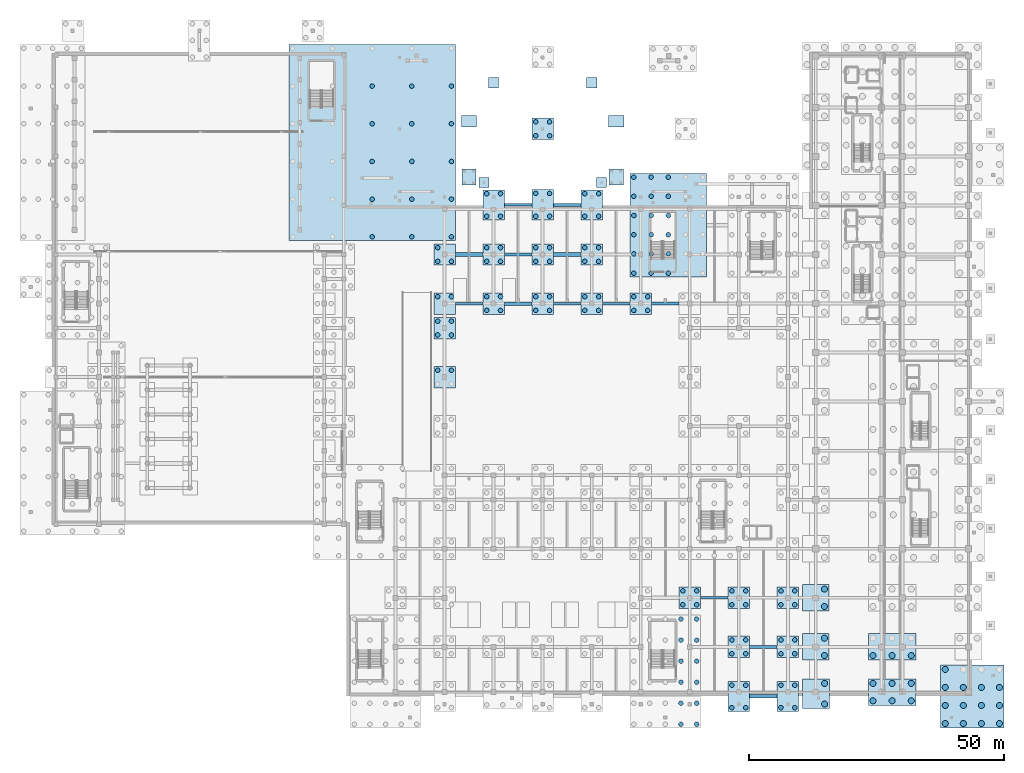
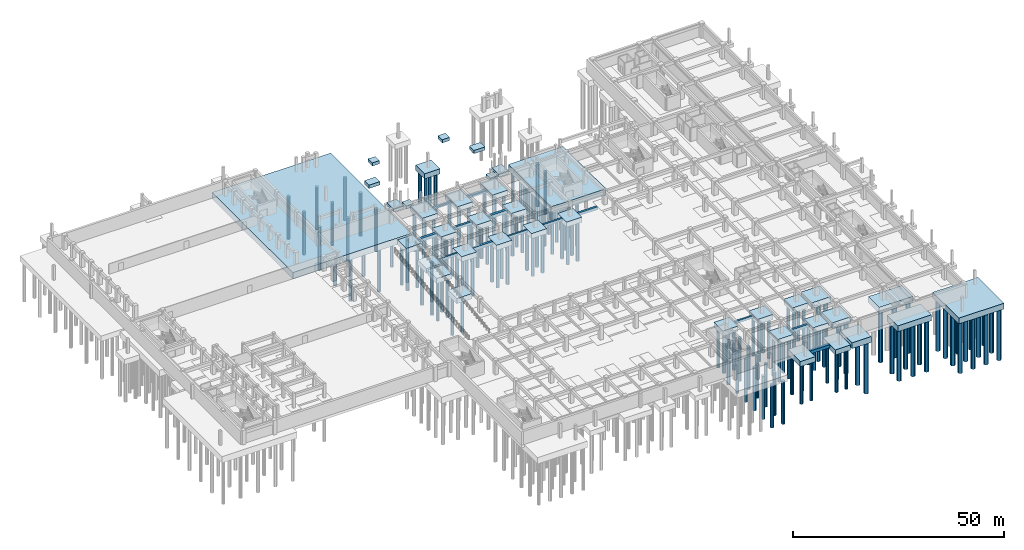
# One storey, part 3 of 39: 156 piles, 51 footings.
"""IFC4 building model written with IfcOpenShell, lengths in metres."""

from ifc_helpers import new_model, si_unit, direction, frame, origin, origin_2d, place, context, subcontext, project, spatial, rectangle, circle, extrude, material, material_profile, profile_set, type_object, element, save


model = new_model("IFC4")

# Units and contexts
model_context = context("Model", 3, precision=1e-05, world=origin(), true_north=direction((0.0, 1.0)))
body_context = subcontext(model_context, "Body", "Model", "MODEL_VIEW")
ifc_project = project(units=[si_unit("LENGTHUNIT", "METRE"), si_unit("AREAUNIT", "SQUARE_METRE"), si_unit("VOLUMEUNIT", "CUBIC_METRE"), si_unit("PLANEANGLEUNIT", "RADIAN"), si_unit("MASSUNIT", "GRAM", prefix="KILO")], contexts=[model_context])

# Site, building, storey
site_placement = place(None, origin())
site = spatial("IfcSite", under=ifc_project, at=site_placement, CompositionType="ELEMENT")
building_placement = place(site_placement, origin())
building = spatial("IfcBuilding", under=site, at=building_placement, Name="Nakhvara Creek Congress Hotel", CompositionType="ELEMENT")
storey_placement = place(building_placement, frame((0.0, 0.0, -8.39990234375)))
storey = spatial("IfcBuildingStorey", under=building, at=storey_placement, Name="B2", CompositionType="ELEMENT", Elevation=-8.39990234375)

# Footings
ifc_material = material(Name="Concrete C40/50", Category="concrete")
footing_type_1 = type_object("IfcFootingType", Name="FT-GB-500X700", PredefinedType="FOOTING_BEAM", material=ifc_material)
for number, where, z_axis, x_axis, name in (
    (1, (81.60009765625, 76.800048828125, -0.7001953125), (0.0, 0.0, 1.0), (1.0, 0.0, 0.0), "Ground Beam GB-019"),
    (2, (91.199951171875, 96.10009765625, -0.7001953125), (0.0, 0.0, 1.0), (1.0, 0.0, 0.0), "Ground Beam GB-028"),
    (3, (100.800048828125, 76.800048828125, -0.7001953125), (0.0, 0.0, 1.0), (1.0, 0.0, 0.0), "Ground Beam GB-034"),
    (4, (110.39990234375, 76.800048828125, -0.7001953125), (0.0, 0.0, 1.0), (1.0, 0.0, 0.0), "Ground Beam GB-040"),
    (5, (129.60009765625, 19.199951171875, -0.7001953125), (0.0, 0.0, 1.0), (1.0, 0.0, 0.0), "Ground Beam GB-043"),
):
    element("IfcFooting", number, at=place(storey_placement, frame(where, z_axis=z_axis, x_axis=x_axis)), inside=storey, type_object=footing_type_1, Name=name, PredefinedType="FOOTING_BEAM", context=body_context, shape_type="SweptSolid", body=[
        extrude(rectangle(XDim=5.39990234375, YDim=0.5, at=origin_2d()), origin(), (0.0, 0.0, 1.0), 0.699951171875),
    ])
footing_type_2 = type_object("IfcFootingType", Name="FT-GB-600X800", PredefinedType="FOOTING_BEAM", material=ifc_material)
for number, where, z_axis, x_axis, name in (
    (6, (91.199951171875, 86.39990234375, -0.80029296875), (0.0, 0.0, 1.0), (1.0, 0.0, 0.0), "Ground Beam GB-027"),
    (7, (100.800048828125, 96.10009765625, -0.80029296875), (0.0, 0.0, 1.0), (1.0, 0.0, 0.0), "Ground Beam GB-036"),
    (8, (120.0, 76.800048828125, -0.80029296875), (0.0, 0.0, 1.0), (1.0, 0.0, 0.0), "Ground Beam GB-042"),
    (9, (139.199951171875, 9.60009765625, -0.80029296875), (0.0, 0.0, 1.0), (1.0, 0.0, 0.0), "Ground Beam GB-048"),
):
    element("IfcFooting", number, at=place(storey_placement, frame(where, z_axis=z_axis, x_axis=x_axis)), inside=storey, type_object=footing_type_2, Name=name, PredefinedType="FOOTING_BEAM", context=body_context, shape_type="SweptSolid", body=[
        extrude(rectangle(XDim=5.39990234375, YDim=0.60009765625, at=origin_2d()), origin(), (0.0, 0.0, 1.0), 0.800048828125),
    ])
footing_type_3 = type_object("IfcFootingType", Name="FT-GB-700X900", PredefinedType="FOOTING_BEAM", material=ifc_material)
for number, where, z_axis, x_axis, name in (
    (10, (81.60009765625, 86.39990234375, -0.900146484375), (0.0, 0.0, 1.0), (1.0, 0.0, 0.0), "Ground Beam GB-020"),
    (11, (91.199951171875, 76.800048828125, -0.900146484375), (0.0, 0.0, 1.0), (1.0, 0.0, 0.0), "Ground Beam GB-026"),
    (12, (100.800048828125, 86.39990234375, -0.900146484375), (0.0, 0.0, 1.0), (1.0, 0.0, 0.0), "Ground Beam GB-035"),
    (13, (139.199951171875, -0.10009765625, -0.900146484375), (0.0, 0.0, 1.0), (1.0, 0.0, 0.0), "Ground Beam GB-047"),
):
    element("IfcFooting", number, at=place(storey_placement, frame(where, z_axis=z_axis, x_axis=x_axis)), inside=storey, type_object=footing_type_3, Name=name, PredefinedType="FOOTING_BEAM", context=body_context, shape_type="SweptSolid", body=[
        extrude(rectangle(XDim=5.39990234375, YDim=0.699951171875, at=origin_2d()), origin(), (0.0, 0.0, 1.0), 0.89990234375),
    ])
footing_type_4 = type_object("IfcFootingType", Name="FT-MCAP-1240X1240X170", PredefinedType="PILE_CAP", material=ifc_material)
footing_1_placement = place(storey_placement, frame((180.10009765625, -0.10009765625, -1.7001953125), z_axis=(0.0, 0.0, 1.0), x_axis=(1.0, 0.0, 0.0)))
element("IfcFooting", 14, at=footing_1_placement, inside=storey, type_object=footing_type_4, Name="Pile Cap 117", PredefinedType="PILE_CAP", context=body_context, shape_type="SweptSolid", body=[
    extrude(rectangle(XDim=12.39990234375, YDim=12.39990234375, at=origin_2d()), origin(), (0.0, 0.0, 1.0), 1.699951171875),
])
footing_type_5 = type_object("IfcFootingType", Name="FT-MCAP-1500X2030X185", PredefinedType="PILE_CAP", material=ifc_material)
footing_2_placement = place(storey_placement, frame((120.60009765625, 92.14990234375, -1.85009765625), z_axis=(0.0, 0.0, 1.0), x_axis=(1.0, 0.0, 0.0)))
element("IfcFooting", 15, at=footing_2_placement, inside=storey, type_object=footing_type_5, Name="Pile Cap 008", PredefinedType="PILE_CAP", context=body_context, shape_type="SweptSolid", body=[
    extrude(rectangle(XDim=15.0, YDim=20.300048828125, at=origin_2d()), origin(), (0.0, 0.0, 1.0), 1.85009765625),
])
footing_type_6 = type_object("IfcFootingType", Name="FT-MCAP-3255X3840X185", PredefinedType="PILE_CAP", material=ifc_material)
footing_3_placement = place(storey_placement, frame((62.625, 108.300048828125, -1.85009765625), z_axis=(0.0, 0.0, 1.0), x_axis=(1.0, 0.0, 0.0)))
element("IfcFooting", 16, at=footing_3_placement, inside=storey, type_object=footing_type_6, Name="Pile Cap 007", PredefinedType="PILE_CAP", context=body_context, shape_type="SweptSolid", body=[
    extrude(rectangle(XDim=32.550048828125, YDim=38.39990234375, at=origin_2d()), origin(), (0.0, 0.0, 1.0), 1.85009765625),
])
footing_type_7 = type_object("IfcFootingType", Name="FT-MCAP-420X420X150", PredefinedType="PILE_CAP", material=ifc_material)
for number, where, z_axis, x_axis, name in (
    (17, (76.800048828125, 62.39990234375, -1.5), (0.0, 0.0, 1.0), (1.0, 0.0, 0.0), "Pile Cap 046"),
    (18, (76.800048828125, 72.0, -1.5), (0.0, 0.0, 1.0), (1.0, 0.0, 0.0), "Pile Cap 047"),
    (19, (76.800048828125, 76.800048828125, -1.5), (0.0, 0.0, 1.0), (1.0, 0.0, 0.0), "Pile Cap 048"),
    (20, (76.800048828125, 86.39990234375, -1.5), (0.0, 0.0, 1.0), (1.0, 0.0, 0.0), "Pile Cap 049"),
    (21, (86.39990234375, 76.800048828125, -1.5), (0.0, 0.0, 1.0), (1.0, 0.0, 0.0), "Pile Cap 055"),
    (22, (86.39990234375, 86.39990234375, -1.5), (0.0, 0.0, 1.0), (1.0, 0.0, 0.0), "Pile Cap 056"),
    (23, (96.0, 76.800048828125, -1.5), (0.0, 0.0, 1.0), (1.0, 0.0, 0.0), "Pile Cap 063"),
    (24, (96.0, 86.39990234375, -1.5), (0.0, 0.0, 1.0), (1.0, 0.0, 0.0), "Pile Cap 064"),
    (25, (105.60009765625, 76.800048828125, -1.5), (0.0, 0.0, 1.0), (1.0, 0.0, 0.0), "Pile Cap 071"),
    (26, (105.60009765625, 86.39990234375, -1.5), (0.0, 0.0, 1.0), (1.0, 0.0, 0.0), "Pile Cap 072"),
    (27, (115.199951171875, 76.800048828125, -1.5), (0.0, 0.0, 1.0), (1.0, 0.0, 0.0), "Pile Cap 078"),
    (28, (124.800048828125, 19.199951171875, -1.5), (0.0, 0.0, 1.0), (1.0, 0.0, 0.0), "Pile Cap 079"),
    (29, (134.39990234375, 9.60009765625, -1.5), (0.0, 0.0, 1.0), (1.0, 0.0, 0.0), "Pile Cap 085"),
    (30, (134.39990234375, 19.199951171875, -1.5), (0.0, 0.0, 1.0), (1.0, 0.0, 0.0), "Pile Cap 086"),
    (31, (144.0, 9.60009765625, -1.5), (0.0, 0.0, 1.0), (1.0, 0.0, 0.0), "Pile Cap 091"),
    (32, (144.0, 19.199951171875, -1.5), (0.0, 0.0, 1.0), (1.0, 0.0, 0.0), "Pile Cap 092"),
    (33, (96.0, 111.0, -1.5), (0.0, 0.0, 1.0), (1.0, 0.0, 0.0), "Pile Cap 131"),
):
    element("IfcFooting", number, at=place(storey_placement, frame(where, z_axis=z_axis, x_axis=x_axis)), inside=storey, type_object=footing_type_7, Name=name, PredefinedType="PILE_CAP", context=body_context, shape_type="SweptSolid", body=[
        extrude(rectangle(XDim=4.199951171875, YDim=4.199951171875, at=origin_2d()), origin(), (0.0, 0.0, 1.0), 1.5),
    ])
footing_type_8 = type_object("IfcFootingType", Name="FT-MCAP-420X590X150", PredefinedType="PILE_CAP", material=ifc_material)
for number, where, z_axis, x_axis, name in (
    (34, (86.39990234375, 96.10009765625, -1.5), (0.0, 0.0, 1.0), (1.0, 0.0, 0.0), "Pile Cap 057"),
    (35, (105.60009765625, 96.10009765625, -1.5), (0.0, 0.0, 1.0), (1.0, 0.0, 0.0), "Pile Cap 073"),
    (36, (134.39990234375, -0.10009765625, -1.5), (0.0, 0.0, 1.0), (1.0, 0.0, 0.0), "Pile Cap 084"),
    (37, (144.0, -0.10009765625, -1.5), (0.0, 0.0, 1.0), (1.0, 0.0, 0.0), "Pile Cap 090"),
):
    element("IfcFooting", number, at=place(storey_placement, frame(where, z_axis=z_axis, x_axis=x_axis)), inside=storey, type_object=footing_type_8, Name=name, PredefinedType="PILE_CAP", context=body_context, shape_type="SweptSolid", body=[
        extrude(rectangle(XDim=4.199951171875, YDim=5.89990234375, at=origin_2d()), origin(), (0.0, 0.0, 1.0), 1.5),
    ])
footing_type_9 = type_object("IfcFootingType", Name="FT-MCAP-420X595X150", PredefinedType="PILE_CAP", material=ifc_material)
footing_4_placement = place(storey_placement, frame((96.0, 96.125, -1.5), z_axis=(0.0, 0.0, 1.0), x_axis=(1.0, 0.0, 0.0)))
element("IfcFooting", 38, at=footing_4_placement, inside=storey, type_object=footing_type_9, Name="Pile Cap 065", PredefinedType="PILE_CAP", context=body_context, shape_type="SweptSolid", body=[
    extrude(rectangle(XDim=4.199951171875, YDim=5.949951171875, at=origin_2d()), origin(), (0.0, 0.0, 1.0), 1.5),
])
footing_type_10 = type_object("IfcFootingType", Name="FT-MCAP-520X520X170", PredefinedType="PILE_CAP", material=ifc_material)
for number, where, z_axis, x_axis, name in (
    (39, (149.449951171875, 9.60009765625, -1.7001953125), (0.0, 0.0, 1.0), (1.0, 0.0, 0.0), "Pile Cap 101"),
    (40, (149.449951171875, 19.199951171875, -1.7001953125), (0.0, 0.0, 1.0), (1.0, 0.0, 0.0), "Pile Cap 102"),
):
    element("IfcFooting", number, at=place(storey_placement, frame(where, z_axis=z_axis, x_axis=x_axis)), inside=storey, type_object=footing_type_10, Name=name, PredefinedType="PILE_CAP", context=body_context, shape_type="SweptSolid", body=[
        extrude(rectangle(XDim=5.199951171875, YDim=5.199951171875, at=origin_2d()), origin(), (0.0, 0.0, 1.0), 1.699951171875),
    ])
footing_type_11 = type_object("IfcFootingType", Name="FT-MCAP-525X585X170", PredefinedType="PILE_CAP", material=ifc_material)
footing_5_placement = place(storey_placement, frame((149.47509765625, 0.425048828125, -1.7001953125), z_axis=(0.0, 0.0, 1.0), x_axis=(1.0, 0.0, 0.0)))
element("IfcFooting", 41, at=footing_5_placement, inside=storey, type_object=footing_type_11, Name="Pile Cap 100", PredefinedType="PILE_CAP", context=body_context, shape_type="SweptSolid", body=[
    extrude(rectangle(XDim=5.25, YDim=5.85009765625, at=origin_2d()), origin(), (0.0, 0.0, 1.0), 1.699951171875),
])
footing_type_12 = type_object("IfcFootingType", Name="FT-MCAP-930X520X170", PredefinedType="PILE_CAP", material=ifc_material)
for number, where, z_axis, x_axis, name in (
    (42, (164.39990234375, 0.75, -1.7001953125), (0.0, 0.0, 1.0), (1.0, 0.0, 0.0), "Pile Cap 114"),
    (43, (164.39990234375, 9.60009765625, -1.7001953125), (0.0, 0.0, 1.0), (1.0, 0.0, 0.0), "Pile Cap 115"),
):
    element("IfcFooting", number, at=place(storey_placement, frame(where, z_axis=z_axis, x_axis=x_axis)), inside=storey, type_object=footing_type_12, Name=name, PredefinedType="PILE_CAP", context=body_context, shape_type="SweptSolid", body=[
        extrude(rectangle(XDim=9.300048828125, YDim=5.199951171875, at=origin_2d()), origin(), (0.0, 0.0, 1.0), 1.699951171875),
    ])
footing_type_13 = type_object("IfcFootingType", Name="FT-PAD-200X200X090", PredefinedType="PAD_FOOTING", material=ifc_material)
for number, where, z_axis, x_axis, name in (
    (44, (86.39990234375, 120.0, -0.900146484375), (0.0, 0.0, 1.0), (1.0, 0.0, 0.0), "Pad Footing PF-05"),
    (45, (105.60009765625, 120.0, -0.900146484375), (0.0, 0.0, 1.0), (1.0, 0.0, 0.0), "Pad Footing PF-06"),
    (46, (84.5, 100.5, -0.900146484375), (0.0, 0.0, 1.0), (1.0, 0.0, 0.0), "Arcade Steel Post Footing 1"),
    (47, (107.5, 100.5, -0.900146484375), (0.0, 0.0, 1.0), (1.0, 0.0, 0.0), "Arcade Steel Post Footing 2"),
):
    element("IfcFooting", number, at=place(storey_placement, frame(where, z_axis=z_axis, x_axis=x_axis)), inside=storey, type_object=footing_type_13, Name=name, PredefinedType="PAD_FOOTING", context=body_context, shape_type="SweptSolid", body=[
        extrude(rectangle(XDim=2.0, YDim=2.0, at=origin_2d()), origin(), (0.0, 0.0, 1.0), 0.89990234375),
    ])
footing_type_14 = type_object("IfcFootingType", Name="FT-PAD-260X260X100", PredefinedType="PAD_FOOTING", material=ifc_material)
for number, where, z_axis, x_axis, name in (
    (48, (81.60009765625, 101.580078125, -0.900146484375), (0.0, 0.0, 1.0), (1.0, 0.0, 0.0), "Forecourt Stair ST21 Combined Pad Footing"),
    (49, (110.39990234375, 101.580078125, -0.900146484375), (0.0, 0.0, 1.0), (1.0, 0.0, 0.0), "Forecourt Stair ST22 Combined Pad Footing"),
):
    element("IfcFooting", number, at=place(storey_placement, frame(where, z_axis=z_axis, x_axis=x_axis)), inside=storey, type_object=footing_type_14, Name=name, PredefinedType="PAD_FOOTING", context=body_context, shape_type="SweptSolid", body=[
        extrude(rectangle(XDim=2.800048828125, YDim=3.199951171875, at=origin_2d()), origin(), (0.0, 0.0, 1.0), 0.89990234375),
    ])
footing_type_15 = type_object("IfcFootingType", Name="FT-PAD-300X220X095", PredefinedType="PAD_FOOTING", material=ifc_material)
for number, where, z_axis, x_axis, name in (
    (50, (81.60009765625, 112.5, -0.9501953125), (0.0, 0.0, 1.0), (1.0, 0.0, 0.0), "Pad Footing PF-01"),
    (51, (110.39990234375, 112.5, -0.9501953125), (0.0, 0.0, 1.0), (1.0, 0.0, 0.0), "Pad Footing PF-02"),
):
    element("IfcFooting", number, at=place(storey_placement, frame(where, z_axis=z_axis, x_axis=x_axis)), inside=storey, type_object=footing_type_15, Name=name, PredefinedType="PAD_FOOTING", context=body_context, shape_type="SweptSolid", body=[
        extrude(rectangle(XDim=3.0, YDim=2.199951171875, at=origin_2d()), origin(), (0.0, 0.0, 1.0), 0.949951171875),
    ])

# Piles
ifc_material_profile_1 = material_profile(ifc_material, circle(Radius=0.60009765625, at=origin_2d()), Name="BORED PILE D1200", Category="LoadBearing")
ifc_profile_set_1 = profile_set([ifc_material_profile_1], Name="Concrete C40/50")
pile_type_1 = type_object("IfcPileType", Name="PILE-BORED-1200", PredefinedType="BORED", material=ifc_profile_set_1)
for number, where, z_axis, x_axis, name in (
    (52, (151.199951171875, -1.60009765625, -1.60009765625), (0.0, 0.0, -1.0), (1.0, 0.0, 0.0), "Bored Pile P-0665"),
    (53, (151.199951171875, 2.449951171875, -1.60009765625), (0.0, 0.0, -1.0), (1.0, 0.0, 0.0), "Bored Pile P-0666"),
    (54, (151.14990234375, 7.89990234375, -1.60009765625), (0.0, 0.0, -1.0), (1.0, 0.0, 0.0), "Bored Pile P-0667"),
    (55, (151.14990234375, 11.300048828125, -1.60009765625), (0.0, 0.0, -1.0), (1.0, 0.0, 0.0), "Bored Pile P-0668"),
    (56, (151.14990234375, 17.5, -1.60009765625), (0.0, 0.0, -1.0), (1.0, 0.0, 0.0), "Bored Pile P-0669"),
    (57, (151.14990234375, 20.89990234375, -1.60009765625), (0.0, 0.0, -1.0), (1.0, 0.0, 0.0), "Bored Pile P-0670"),
    (58, (160.64990234375, -0.949951171875, -1.60009765625), (0.0, 0.0, -1.0), (1.0, 0.0, 0.0), "Bored Pile P-0699"),
    (59, (160.64990234375, 2.449951171875, -1.60009765625), (0.0, 0.0, -1.0), (1.0, 0.0, 0.0), "Bored Pile P-0700"),
    (60, (164.39990234375, -0.949951171875, -1.60009765625), (0.0, 0.0, -1.0), (1.0, 0.0, 0.0), "Bored Pile P-0701"),
    (61, (164.39990234375, 2.449951171875, -1.60009765625), (0.0, 0.0, -1.0), (1.0, 0.0, 0.0), "Bored Pile P-0702"),
    (62, (168.14990234375, -0.949951171875, -1.60009765625), (0.0, 0.0, -1.0), (1.0, 0.0, 0.0), "Bored Pile P-0703"),
    (63, (168.14990234375, 2.449951171875, -1.60009765625), (0.0, 0.0, -1.0), (1.0, 0.0, 0.0), "Bored Pile P-0704"),
    (64, (160.64990234375, 7.89990234375, -1.60009765625), (0.0, 0.0, -1.0), (1.0, 0.0, 0.0), "Bored Pile P-0705"),
    (65, (164.39990234375, 7.89990234375, -1.60009765625), (0.0, 0.0, -1.0), (1.0, 0.0, 0.0), "Bored Pile P-0707"),
    (66, (168.14990234375, 7.89990234375, -1.60009765625), (0.0, 0.0, -1.0), (1.0, 0.0, 0.0), "Bored Pile P-0709"),
    (67, (174.800048828125, -5.39990234375, -1.60009765625), (0.0, 0.0, -1.0), (1.0, 0.0, 0.0), "Bored Pile P-0717"),
    (68, (174.800048828125, -1.866943359375, -1.60009765625), (0.0, 0.0, -1.0), (1.0, 0.0, 0.0), "Bored Pile P-0718"),
    (69, (174.800048828125, 1.6669921875, -1.60009765625), (0.0, 0.0, -1.0), (1.0, 0.0, 0.0), "Bored Pile P-0719"),
    (70, (174.800048828125, 5.199951171875, -1.60009765625), (0.0, 0.0, -1.0), (1.0, 0.0, 0.0), "Bored Pile P-0720"),
    (71, (178.3330078125, -5.39990234375, -1.60009765625), (0.0, 0.0, -1.0), (1.0, 0.0, 0.0), "Bored Pile P-0721"),
    (72, (178.3330078125, -1.866943359375, -1.60009765625), (0.0, 0.0, -1.0), (1.0, 0.0, 0.0), "Bored Pile P-0722"),
    (73, (178.3330078125, 1.6669921875, -1.60009765625), (0.0, 0.0, -1.0), (1.0, 0.0, 0.0), "Bored Pile P-0723"),
    (74, (181.866943359375, -5.39990234375, -1.60009765625), (0.0, 0.0, -1.0), (1.0, 0.0, 0.0), "Bored Pile P-0725"),
    (75, (181.866943359375, -1.866943359375, -1.60009765625), (0.0, 0.0, -1.0), (1.0, 0.0, 0.0), "Bored Pile P-0726"),
    (76, (181.866943359375, 1.6669921875, -1.60009765625), (0.0, 0.0, -1.0), (1.0, 0.0, 0.0), "Bored Pile P-0727"),
    (77, (185.39990234375, -5.39990234375, -1.60009765625), (0.0, 0.0, -1.0), (1.0, 0.0, 0.0), "Bored Pile P-0729"),
    (78, (185.39990234375, -1.866943359375, -1.60009765625), (0.0, 0.0, -1.0), (1.0, 0.0, 0.0), "Bored Pile P-0730"),
    (79, (185.39990234375, 1.6669921875, -1.60009765625), (0.0, 0.0, -1.0), (1.0, 0.0, 0.0), "Bored Pile P-0731"),
):
    element("IfcPile", number, at=place(storey_placement, frame(where, z_axis=z_axis, x_axis=x_axis)), inside=storey, type_object=pile_type_1, Name=name, PredefinedType="BORED", context=body_context, shape_type="SweptSolid", body=[
        extrude(circle(Radius=0.60009765625, at=origin_2d()), origin(), (0.0, 0.0, 1.0), 14.89990234375),
    ])
ifc_material_profile_2 = material_profile(ifc_material, circle(Radius=0.449951171875, at=origin_2d()), Name="BORED PILE D900", Category="LoadBearing")
ifc_profile_set_2 = profile_set([ifc_material_profile_2], Name="Concrete C40/50")
pile_type_2 = type_object("IfcPileType", Name="PILE-BORED-900", PredefinedType="BORED", material=ifc_profile_set_2)
for number, where, z_axis, x_axis, name in (
    (80, (62.625, 89.85009765625, -1.75), (0.0, 0.0, -1.0), (1.0, 0.0, 0.0), "Bored Pile P-0187"),
    (81, (62.625, 97.22998046875, -1.75), (0.0, 0.0, -1.0), (1.0, 0.0, 0.0), "Bored Pile P-0188"),
    (82, (62.625, 104.610107421875, -1.75), (0.0, 0.0, -1.0), (1.0, 0.0, 0.0), "Bored Pile P-0189"),
    (83, (62.625, 111.989990234375, -1.75), (0.0, 0.0, -1.0), (1.0, 0.0, 0.0), "Bored Pile P-0190"),
    (84, (62.625, 119.3701171875, -1.75), (0.0, 0.0, -1.0), (1.0, 0.0, 0.0), "Bored Pile P-0191"),
    (85, (70.387939453125, 89.85009765625, -1.75), (0.0, 0.0, -1.0), (1.0, 0.0, 0.0), "Bored Pile P-0193"),
    (86, (70.387939453125, 97.22998046875, -1.75), (0.0, 0.0, -1.0), (1.0, 0.0, 0.0), "Bored Pile P-0194"),
    (87, (70.387939453125, 104.610107421875, -1.75), (0.0, 0.0, -1.0), (1.0, 0.0, 0.0), "Bored Pile P-0195"),
    (88, (70.387939453125, 111.989990234375, -1.75), (0.0, 0.0, -1.0), (1.0, 0.0, 0.0), "Bored Pile P-0196"),
    (89, (70.387939453125, 119.3701171875, -1.75), (0.0, 0.0, -1.0), (1.0, 0.0, 0.0), "Bored Pile P-0197"),
    (90, (78.14990234375, 89.85009765625, -1.75), (0.0, 0.0, -1.0), (1.0, 0.0, 0.0), "Bored Pile P-0199"),
    (91, (78.14990234375, 97.22998046875, -1.75), (0.0, 0.0, -1.0), (1.0, 0.0, 0.0), "Bored Pile P-0200"),
    (92, (78.14990234375, 104.610107421875, -1.75), (0.0, 0.0, -1.0), (1.0, 0.0, 0.0), "Bored Pile P-0201"),
    (93, (78.14990234375, 111.989990234375, -1.75), (0.0, 0.0, -1.0), (1.0, 0.0, 0.0), "Bored Pile P-0202"),
    (94, (78.14990234375, 119.3701171875, -1.75), (0.0, 0.0, -1.0), (1.0, 0.0, 0.0), "Bored Pile P-0203"),
    (95, (113.85009765625, 82.75, -1.75), (0.0, 0.0, -1.0), (1.0, 0.0, 0.0), "Bored Pile P-0205"),
    (96, (113.85009765625, 86.510009765625, -1.75), (0.0, 0.0, -1.0), (1.0, 0.0, 0.0), "Bored Pile P-0206"),
    (97, (113.85009765625, 90.27001953125, -1.75), (0.0, 0.0, -1.0), (1.0, 0.0, 0.0), "Bored Pile P-0207"),
    (98, (113.85009765625, 94.030029296875, -1.75), (0.0, 0.0, -1.0), (1.0, 0.0, 0.0), "Bored Pile P-0208"),
    (99, (113.85009765625, 97.7900390625, -1.75), (0.0, 0.0, -1.0), (1.0, 0.0, 0.0), "Bored Pile P-0209"),
    (100, (113.85009765625, 101.550048828125, -1.75), (0.0, 0.0, -1.0), (1.0, 0.0, 0.0), "Bored Pile P-0210"),
    (101, (117.22509765625, 82.75, -1.75), (0.0, 0.0, -1.0), (1.0, 0.0, 0.0), "Bored Pile P-0211"),
    (102, (117.22509765625, 86.510009765625, -1.75), (0.0, 0.0, -1.0), (1.0, 0.0, 0.0), "Bored Pile P-0212"),
    (103, (117.22509765625, 90.27001953125, -1.75), (0.0, 0.0, -1.0), (1.0, 0.0, 0.0), "Bored Pile P-0213"),
    (104, (117.22509765625, 94.030029296875, -1.75), (0.0, 0.0, -1.0), (1.0, 0.0, 0.0), "Bored Pile P-0214"),
    (105, (117.22509765625, 97.7900390625, -1.75), (0.0, 0.0, -1.0), (1.0, 0.0, 0.0), "Bored Pile P-0215"),
    (106, (117.22509765625, 101.550048828125, -1.75), (0.0, 0.0, -1.0), (1.0, 0.0, 0.0), "Bored Pile P-0216"),
    (107, (120.60009765625, 82.75, -1.75), (0.0, 0.0, -1.0), (1.0, 0.0, 0.0), "Bored Pile P-0217"),
    (108, (120.60009765625, 86.510009765625, -1.75), (0.0, 0.0, -1.0), (1.0, 0.0, 0.0), "Bored Pile P-0218"),
    (109, (120.60009765625, 90.27001953125, -1.75), (0.0, 0.0, -1.0), (1.0, 0.0, 0.0), "Bored Pile P-0219"),
    (110, (120.60009765625, 94.030029296875, -1.75), (0.0, 0.0, -1.0), (1.0, 0.0, 0.0), "Bored Pile P-0220"),
    (111, (120.60009765625, 97.7900390625, -1.75), (0.0, 0.0, -1.0), (1.0, 0.0, 0.0), "Bored Pile P-0221"),
    (112, (120.60009765625, 101.550048828125, -1.75), (0.0, 0.0, -1.0), (1.0, 0.0, 0.0), "Bored Pile P-0222"),
    (113, (123.074951171875, -5.550048828125, -1.75), (0.0, 0.0, -1.0), (1.0, 0.0, 0.0), "Bored Pile P-0313"),
    (114, (123.074951171875, -1.429931640625, -1.75), (0.0, 0.0, -1.0), (1.0, 0.0, 0.0), "Bored Pile P-0314"),
    (115, (123.074951171875, 2.68994140625, -1.75), (0.0, 0.0, -1.0), (1.0, 0.0, 0.0), "Bored Pile P-0315"),
    (116, (123.074951171875, 6.81005859375, -1.75), (0.0, 0.0, -1.0), (1.0, 0.0, 0.0), "Bored Pile P-0316"),
    (117, (123.074951171875, 10.929931640625, -1.75), (0.0, 0.0, -1.0), (1.0, 0.0, 0.0), "Bored Pile P-0317"),
    (118, (123.074951171875, 15.050048828125, -1.75), (0.0, 0.0, -1.0), (1.0, 0.0, 0.0), "Bored Pile P-0318"),
    (119, (126.14990234375, -5.550048828125, -1.75), (0.0, 0.0, -1.0), (1.0, 0.0, 0.0), "Bored Pile P-0319"),
    (120, (126.14990234375, -1.429931640625, -1.75), (0.0, 0.0, -1.0), (1.0, 0.0, 0.0), "Bored Pile P-0320"),
    (121, (126.14990234375, 2.68994140625, -1.75), (0.0, 0.0, -1.0), (1.0, 0.0, 0.0), "Bored Pile P-0321"),
    (122, (126.14990234375, 6.81005859375, -1.75), (0.0, 0.0, -1.0), (1.0, 0.0, 0.0), "Bored Pile P-0322"),
    (123, (126.14990234375, 10.929931640625, -1.75), (0.0, 0.0, -1.0), (1.0, 0.0, 0.0), "Bored Pile P-0323"),
    (124, (126.14990234375, 15.050048828125, -1.75), (0.0, 0.0, -1.0), (1.0, 0.0, 0.0), "Bored Pile P-0324"),
):
    element("IfcPile", number, at=place(storey_placement, frame(where, z_axis=z_axis, x_axis=x_axis)), inside=storey, type_object=pile_type_2, Name=name, PredefinedType="BORED", context=body_context, shape_type="SweptSolid", body=[
        extrude(circle(Radius=0.449951171875, at=origin_2d()), origin(), (0.0, 0.0, 1.0), 12.5),
    ])
for number, where, z_axis, x_axis, name in (
    (125, (75.449951171875, 63.75, -1.400146484375), (0.0, 0.0, -1.0), (1.0, 0.0, 0.0), "Bored Pile P-0467"),
    (126, (78.14990234375, 63.75, -1.400146484375), (0.0, 0.0, -1.0), (1.0, 0.0, 0.0), "Bored Pile P-0469"),
    (127, (75.449951171875, 70.64990234375, -1.400146484375), (0.0, 0.0, -1.0), (1.0, 0.0, 0.0), "Bored Pile P-0470"),
    (128, (75.449951171875, 73.35009765625, -1.400146484375), (0.0, 0.0, -1.0), (1.0, 0.0, 0.0), "Bored Pile P-0471"),
    (129, (78.14990234375, 70.64990234375, -1.400146484375), (0.0, 0.0, -1.0), (1.0, 0.0, 0.0), "Bored Pile P-0472"),
    (130, (78.14990234375, 73.35009765625, -1.400146484375), (0.0, 0.0, -1.0), (1.0, 0.0, 0.0), "Bored Pile P-0473"),
    (131, (75.449951171875, 78.14990234375, -1.400146484375), (0.0, 0.0, -1.0), (1.0, 0.0, 0.0), "Bored Pile P-0474"),
    (132, (78.14990234375, 78.14990234375, -1.400146484375), (0.0, 0.0, -1.0), (1.0, 0.0, 0.0), "Bored Pile P-0475"),
    (133, (75.449951171875, 85.050048828125, -1.400146484375), (0.0, 0.0, -1.0), (1.0, 0.0, 0.0), "Bored Pile P-0476"),
    (134, (75.449951171875, 87.75, -1.400146484375), (0.0, 0.0, -1.0), (1.0, 0.0, 0.0), "Bored Pile P-0477"),
    (135, (78.14990234375, 85.050048828125, -1.400146484375), (0.0, 0.0, -1.0), (1.0, 0.0, 0.0), "Bored Pile P-0478"),
    (136, (85.050048828125, 75.449951171875, -1.400146484375), (0.0, 0.0, -1.0), (1.0, 0.0, 0.0), "Bored Pile P-0499"),
    (137, (85.050048828125, 78.14990234375, -1.400146484375), (0.0, 0.0, -1.0), (1.0, 0.0, 0.0), "Bored Pile P-0500"),
    (138, (87.75, 75.449951171875, -1.400146484375), (0.0, 0.0, -1.0), (1.0, 0.0, 0.0), "Bored Pile P-0501"),
    (139, (87.75, 78.14990234375, -1.400146484375), (0.0, 0.0, -1.0), (1.0, 0.0, 0.0), "Bored Pile P-0502"),
    (140, (85.050048828125, 85.050048828125, -1.400146484375), (0.0, 0.0, -1.0), (1.0, 0.0, 0.0), "Bored Pile P-0503"),
    (141, (85.050048828125, 87.75, -1.400146484375), (0.0, 0.0, -1.0), (1.0, 0.0, 0.0), "Bored Pile P-0504"),
    (142, (87.75, 85.050048828125, -1.400146484375), (0.0, 0.0, -1.0), (1.0, 0.0, 0.0), "Bored Pile P-0505"),
    (143, (87.75, 87.75, -1.400146484375), (0.0, 0.0, -1.0), (1.0, 0.0, 0.0), "Bored Pile P-0506"),
    (144, (85.050048828125, 93.89990234375, -1.400146484375), (0.0, 0.0, -1.0), (1.0, 0.0, 0.0), "Bored Pile P-0507"),
    (145, (85.050048828125, 98.300048828125, -1.400146484375), (0.0, 0.0, -1.0), (1.0, 0.0, 0.0), "Bored Pile P-0508"),
    (146, (87.75, 93.89990234375, -1.400146484375), (0.0, 0.0, -1.0), (1.0, 0.0, 0.0), "Bored Pile P-0509"),
    (147, (87.75, 98.300048828125, -1.400146484375), (0.0, 0.0, -1.0), (1.0, 0.0, 0.0), "Bored Pile P-0510"),
    (148, (94.64990234375, 75.449951171875, -1.400146484375), (0.0, 0.0, -1.0), (1.0, 0.0, 0.0), "Bored Pile P-0529"),
    (149, (94.64990234375, 78.14990234375, -1.400146484375), (0.0, 0.0, -1.0), (1.0, 0.0, 0.0), "Bored Pile P-0530"),
    (150, (97.35009765625, 75.449951171875, -1.400146484375), (0.0, 0.0, -1.0), (1.0, 0.0, 0.0), "Bored Pile P-0531"),
    (151, (97.35009765625, 78.14990234375, -1.400146484375), (0.0, 0.0, -1.0), (1.0, 0.0, 0.0), "Bored Pile P-0532"),
    (152, (94.64990234375, 85.050048828125, -1.400146484375), (0.0, 0.0, -1.0), (1.0, 0.0, 0.0), "Bored Pile P-0533"),
    (153, (94.64990234375, 87.75, -1.400146484375), (0.0, 0.0, -1.0), (1.0, 0.0, 0.0), "Bored Pile P-0534"),
    (154, (97.35009765625, 85.050048828125, -1.400146484375), (0.0, 0.0, -1.0), (1.0, 0.0, 0.0), "Bored Pile P-0535"),
    (155, (97.35009765625, 87.75, -1.400146484375), (0.0, 0.0, -1.0), (1.0, 0.0, 0.0), "Bored Pile P-0536"),
    (156, (94.64990234375, 93.89990234375, -1.400146484375), (0.0, 0.0, -1.0), (1.0, 0.0, 0.0), "Bored Pile P-0537"),
    (157, (94.64990234375, 98.35009765625, -1.400146484375), (0.0, 0.0, -1.0), (1.0, 0.0, 0.0), "Bored Pile P-0538"),
    (158, (97.35009765625, 93.89990234375, -1.400146484375), (0.0, 0.0, -1.0), (1.0, 0.0, 0.0), "Bored Pile P-0539"),
    (159, (97.35009765625, 98.35009765625, -1.400146484375), (0.0, 0.0, -1.0), (1.0, 0.0, 0.0), "Bored Pile P-0540"),
    (160, (104.25, 75.449951171875, -1.400146484375), (0.0, 0.0, -1.0), (1.0, 0.0, 0.0), "Bored Pile P-0559"),
    (161, (104.25, 78.14990234375, -1.400146484375), (0.0, 0.0, -1.0), (1.0, 0.0, 0.0), "Bored Pile P-0560"),
    (162, (106.949951171875, 75.449951171875, -1.400146484375), (0.0, 0.0, -1.0), (1.0, 0.0, 0.0), "Bored Pile P-0561"),
    (163, (106.949951171875, 78.14990234375, -1.400146484375), (0.0, 0.0, -1.0), (1.0, 0.0, 0.0), "Bored Pile P-0562"),
    (164, (104.25, 85.050048828125, -1.400146484375), (0.0, 0.0, -1.0), (1.0, 0.0, 0.0), "Bored Pile P-0563"),
    (165, (104.25, 87.75, -1.400146484375), (0.0, 0.0, -1.0), (1.0, 0.0, 0.0), "Bored Pile P-0564"),
    (166, (106.949951171875, 85.050048828125, -1.400146484375), (0.0, 0.0, -1.0), (1.0, 0.0, 0.0), "Bored Pile P-0565"),
    (167, (106.949951171875, 87.75, -1.400146484375), (0.0, 0.0, -1.0), (1.0, 0.0, 0.0), "Bored Pile P-0566"),
    (168, (104.25, 93.89990234375, -1.400146484375), (0.0, 0.0, -1.0), (1.0, 0.0, 0.0), "Bored Pile P-0567"),
    (169, (104.25, 98.300048828125, -1.400146484375), (0.0, 0.0, -1.0), (1.0, 0.0, 0.0), "Bored Pile P-0568"),
    (170, (106.949951171875, 93.89990234375, -1.400146484375), (0.0, 0.0, -1.0), (1.0, 0.0, 0.0), "Bored Pile P-0569"),
    (171, (106.949951171875, 98.300048828125, -1.400146484375), (0.0, 0.0, -1.0), (1.0, 0.0, 0.0), "Bored Pile P-0570"),
    (172, (113.85009765625, 75.449951171875, -1.400146484375), (0.0, 0.0, -1.0), (1.0, 0.0, 0.0), "Bored Pile P-0585"),
    (173, (113.85009765625, 78.14990234375, -1.400146484375), (0.0, 0.0, -1.0), (1.0, 0.0, 0.0), "Bored Pile P-0586"),
    (174, (116.550048828125, 75.449951171875, -1.400146484375), (0.0, 0.0, -1.0), (1.0, 0.0, 0.0), "Bored Pile P-0587"),
    (175, (116.550048828125, 78.14990234375, -1.400146484375), (0.0, 0.0, -1.0), (1.0, 0.0, 0.0), "Bored Pile P-0588"),
    (176, (123.449951171875, 17.85009765625, -1.400146484375), (0.0, 0.0, -1.0), (1.0, 0.0, 0.0), "Bored Pile P-0589"),
    (177, (123.449951171875, 20.550048828125, -1.400146484375), (0.0, 0.0, -1.0), (1.0, 0.0, 0.0), "Bored Pile P-0590"),
    (178, (126.14990234375, 17.85009765625, -1.400146484375), (0.0, 0.0, -1.0), (1.0, 0.0, 0.0), "Bored Pile P-0591"),
    (179, (126.14990234375, 20.550048828125, -1.400146484375), (0.0, 0.0, -1.0), (1.0, 0.0, 0.0), "Bored Pile P-0592"),
    (180, (133.050048828125, -2.300048828125, -1.400146484375), (0.0, 0.0, -1.0), (1.0, 0.0, 0.0), "Bored Pile P-0607"),
    (181, (133.050048828125, 2.10009765625, -1.400146484375), (0.0, 0.0, -1.0), (1.0, 0.0, 0.0), "Bored Pile P-0608"),
    (182, (135.75, -2.300048828125, -1.400146484375), (0.0, 0.0, -1.0), (1.0, 0.0, 0.0), "Bored Pile P-0609"),
    (183, (135.75, 2.10009765625, -1.400146484375), (0.0, 0.0, -1.0), (1.0, 0.0, 0.0), "Bored Pile P-0610"),
    (184, (133.050048828125, 8.25, -1.400146484375), (0.0, 0.0, -1.0), (1.0, 0.0, 0.0), "Bored Pile P-0611"),
    (185, (133.050048828125, 10.949951171875, -1.400146484375), (0.0, 0.0, -1.0), (1.0, 0.0, 0.0), "Bored Pile P-0612"),
    (186, (135.75, 8.25, -1.400146484375), (0.0, 0.0, -1.0), (1.0, 0.0, 0.0), "Bored Pile P-0613"),
    (187, (135.75, 10.949951171875, -1.400146484375), (0.0, 0.0, -1.0), (1.0, 0.0, 0.0), "Bored Pile P-0614"),
    (188, (133.050048828125, 17.85009765625, -1.400146484375), (0.0, 0.0, -1.0), (1.0, 0.0, 0.0), "Bored Pile P-0615"),
    (189, (133.050048828125, 20.550048828125, -1.400146484375), (0.0, 0.0, -1.0), (1.0, 0.0, 0.0), "Bored Pile P-0616"),
    (190, (135.75, 17.85009765625, -1.400146484375), (0.0, 0.0, -1.0), (1.0, 0.0, 0.0), "Bored Pile P-0617"),
    (191, (135.75, 20.550048828125, -1.400146484375), (0.0, 0.0, -1.0), (1.0, 0.0, 0.0), "Bored Pile P-0618"),
    (192, (142.64990234375, -2.300048828125, -1.400146484375), (0.0, 0.0, -1.0), (1.0, 0.0, 0.0), "Bored Pile P-0629"),
    (193, (142.64990234375, 2.10009765625, -1.400146484375), (0.0, 0.0, -1.0), (1.0, 0.0, 0.0), "Bored Pile P-0630"),
    (194, (145.35009765625, -2.300048828125, -1.400146484375), (0.0, 0.0, -1.0), (1.0, 0.0, 0.0), "Bored Pile P-0631"),
    (195, (145.35009765625, 2.10009765625, -1.400146484375), (0.0, 0.0, -1.0), (1.0, 0.0, 0.0), "Bored Pile P-0632"),
    (196, (142.64990234375, 8.25, -1.400146484375), (0.0, 0.0, -1.0), (1.0, 0.0, 0.0), "Bored Pile P-0633"),
    (197, (142.64990234375, 10.949951171875, -1.400146484375), (0.0, 0.0, -1.0), (1.0, 0.0, 0.0), "Bored Pile P-0634"),
    (198, (145.35009765625, 8.25, -1.400146484375), (0.0, 0.0, -1.0), (1.0, 0.0, 0.0), "Bored Pile P-0635"),
    (199, (145.35009765625, 10.949951171875, -1.400146484375), (0.0, 0.0, -1.0), (1.0, 0.0, 0.0), "Bored Pile P-0636"),
    (200, (142.64990234375, 17.85009765625, -1.400146484375), (0.0, 0.0, -1.0), (1.0, 0.0, 0.0), "Bored Pile P-0637"),
    (201, (142.64990234375, 20.550048828125, -1.400146484375), (0.0, 0.0, -1.0), (1.0, 0.0, 0.0), "Bored Pile P-0638"),
    (202, (145.35009765625, 17.85009765625, -1.400146484375), (0.0, 0.0, -1.0), (1.0, 0.0, 0.0), "Bored Pile P-0639"),
    (203, (145.35009765625, 20.550048828125, -1.400146484375), (0.0, 0.0, -1.0), (1.0, 0.0, 0.0), "Bored Pile P-0640"),
    (204, (94.64990234375, 109.64990234375, -1.400146484375), (0.0, 0.0, -1.0), (1.0, 0.0, 0.0), "Bored Pile P-0790"),
    (205, (94.64990234375, 112.35009765625, -1.400146484375), (0.0, 0.0, -1.0), (1.0, 0.0, 0.0), "Bored Pile P-0791"),
    (206, (97.35009765625, 109.64990234375, -1.400146484375), (0.0, 0.0, -1.0), (1.0, 0.0, 0.0), "Bored Pile P-0792"),
    (207, (97.35009765625, 112.35009765625, -1.400146484375), (0.0, 0.0, -1.0), (1.0, 0.0, 0.0), "Bored Pile P-0793"),
):
    element("IfcPile", number, at=place(storey_placement, frame(where, z_axis=z_axis, x_axis=x_axis)), inside=storey, type_object=pile_type_2, Name=name, PredefinedType="BORED", context=body_context, shape_type="SweptSolid", body=[
        extrude(circle(Radius=0.449951171875, at=origin_2d()), origin(), (0.0, 0.0, 1.0), 11.39990234375),
    ])

save(model, "model.ifc")
